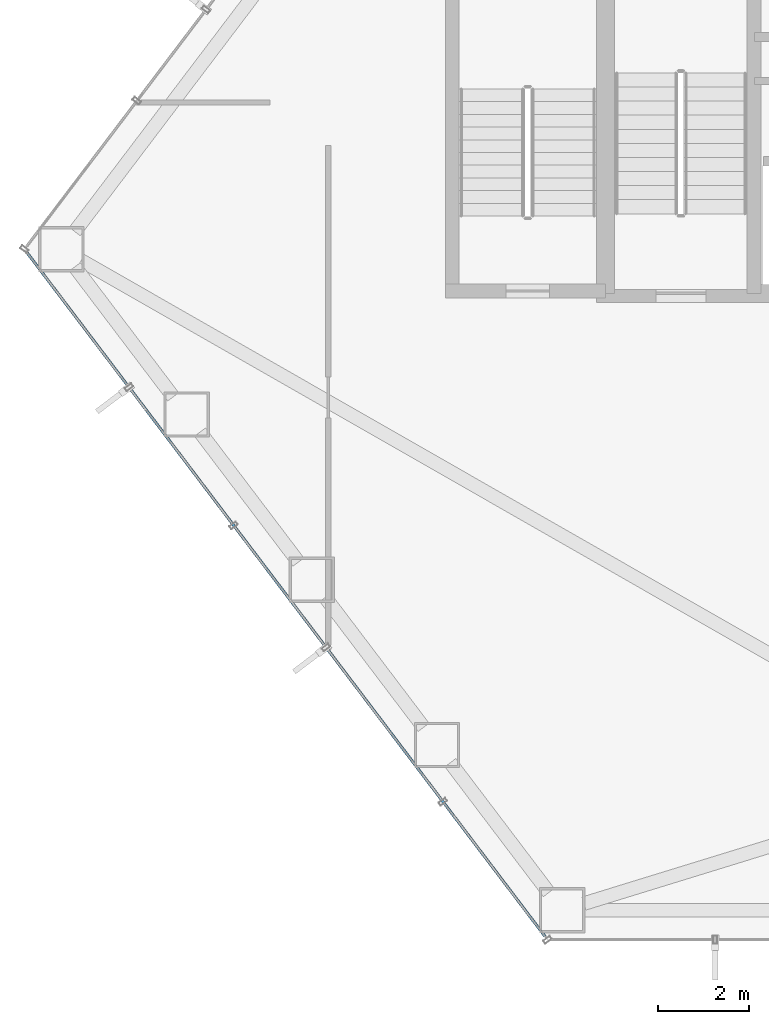
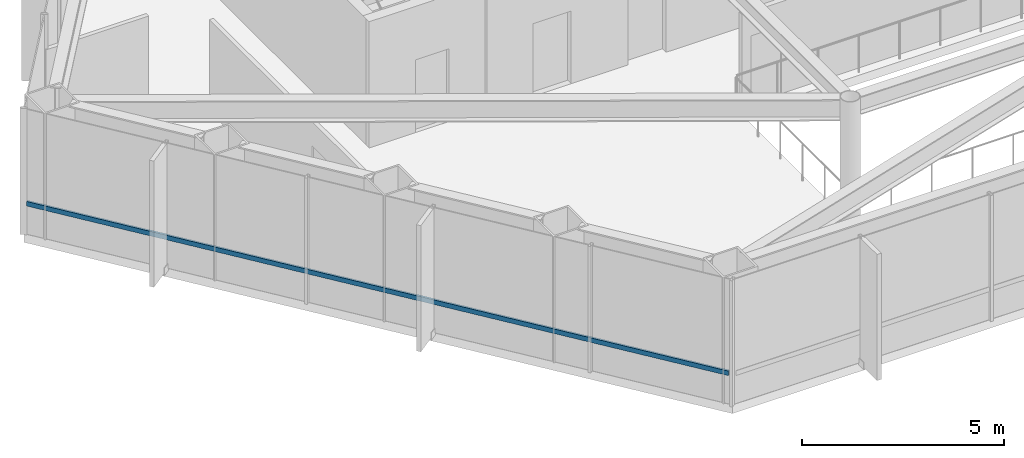
# One storey, part 3 of 25: 1 member, 1 element without a shape of its own.
"""IFC4 building model written with IfcOpenShell, lengths in metres."""

from ifc_helpers import new_model, si_unit, direction, frame, origin, origin_2d, place, context, subcontext, project, spatial, hollow_rectangle, extrude, material, layer, layer_set, material_profile, profile_set, type_object, element, aggregate, save


model = new_model("IFC4")

# Units and contexts
model_context = context("Model", 3, precision=1e-05, world=origin(), true_north=direction((0.0, 1.0)))
body_context = subcontext(model_context, "Body", "Model", "MODEL_VIEW")
ifc_project = project(units=[si_unit("LENGTHUNIT", "METRE"), si_unit("AREAUNIT", "SQUARE_METRE"), si_unit("VOLUMEUNIT", "CUBIC_METRE"), si_unit("PLANEANGLEUNIT", "RADIAN"), si_unit("MASSUNIT", "GRAM", prefix="KILO")], contexts=[model_context])

# Site, building, storey
site_placement = place(None, origin())
site = spatial("IfcSite", under=ifc_project, at=site_placement, CompositionType="ELEMENT")
building_placement = place(site_placement, origin())
building = spatial("IfcBuilding", under=site, at=building_placement, Name="Zarrinselat Tower", CompositionType="ELEMENT")
storey_placement = place(building_placement, frame((0.0, 0.0, 43.860107421875)))
storey = spatial("IfcBuildingStorey", under=building, at=storey_placement, Name="L10", CompositionType="ELEMENT", Elevation=43.860107421875)

# Curtain wall, member
ifc_material_1 = material(Name="Extruded Aluminium Alloy EN AW-6063 T6", Category="aluminium")
ifc_layer = layer(ifc_material_1, 0.18505859375)
ifc_layer_set = layer_set([ifc_layer], Name="Extruded Aluminium Alloy EN AW-6063 T6")
curtain_wall_type = type_object("IfcCurtainWallType", Name="CWS-OFF", PredefinedType="NOTDEFINED", material=ifc_layer_set)
curtain_wall_placement = place(storey_placement, origin())
curtain_wall = element("IfcCurtainWall", 1, at=curtain_wall_placement, inside=storey, type_object=curtain_wall_type, Name="L10 Unitised Curtain Wall CW-L10-E03", PredefinedType="NOTDEFINED")
ifc_material_2 = material(Name="Extruded Aluminium Alloy EN AW-6063 T6", Category="aluminium")
ifc_material_profile = material_profile(ifc_material_2, hollow_rectangle(XDim=0.06005859375, YDim=0.139892578125, WallThickness=0.00390625, at=origin_2d()), Name="RHS 140x60x4")
ifc_profile_set = profile_set([ifc_material_profile], Name="Extruded Aluminium Alloy EN AW-6063 T6")
member_type = type_object("IfcMemberType", Name="MEM-CW-TRN", PredefinedType="USERDEFINED", material=ifc_profile_set)
member_placement = place(storey_placement, frame((15.865966796875, 34.1494140625, 0.949951171875), z_axis=(0.60385022181, -0.7970978043, 0.0), x_axis=(0.7970978043, 0.60385022181, 0.0)))
member = element("IfcMember", 2, at=member_placement, type_object=member_type, Name="CW-L10-E03 Transom 1", ObjectType="TRANSOM", PredefinedType="USERDEFINED", context=body_context, shape_type="SweptSolid", body=[
    extrude(hollow_rectangle(XDim=0.06005859375, YDim=0.139892578125, WallThickness=0.00390625, at=origin_2d()), origin(), (0.0, 0.0, 1.0), 18.88720703125),
])
aggregate(curtain_wall, [member])

save(model, "model.ifc")
